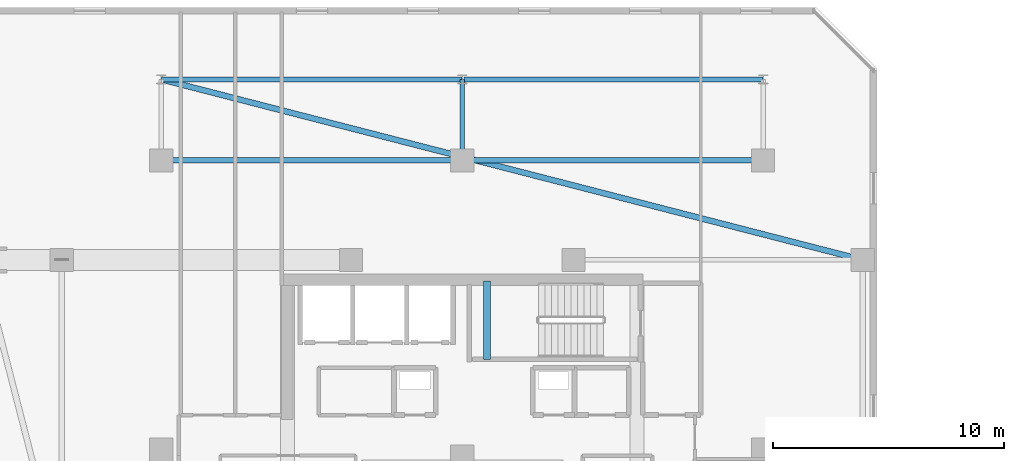
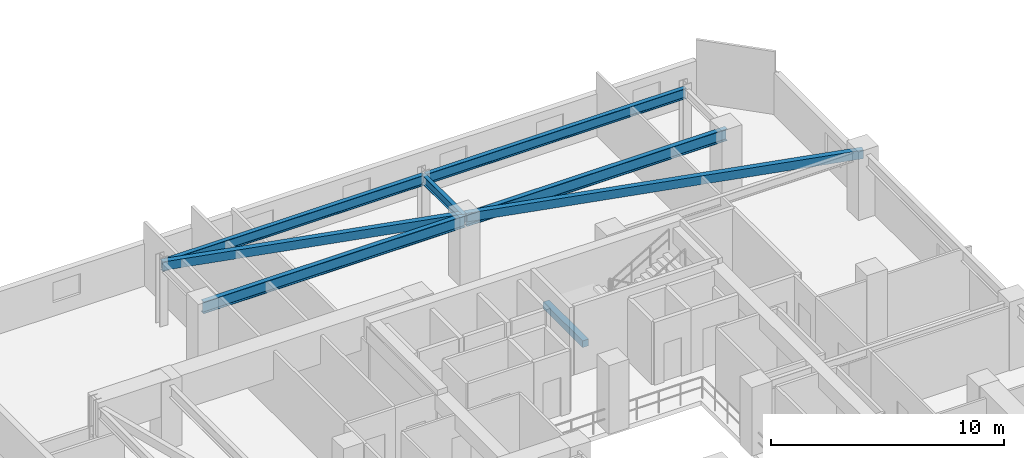
# One storey, part 8 of 35: 7 beams.
"""IFC4 building model written with IfcOpenShell, lengths in metres."""

import ifcopenshell
import ifcopenshell.guid

model = None  # the IFC model being written
_history = None  # IfcOwnerHistory: only IFC2X3 demands one
_inside = {}  # id of a spatial element -> (the spatial element, [elements in it])
_under = {}  # id of a project, library or spatial element -> (it, [spatial elements below it])
_declared = {}  # id of a project -> (the project, [libraries it declares])
_typed = {}  # id of a type object -> (the type object, [elements of that type])
_made_of = {}  # id of a material, layer set ... -> (it, [elements and type objects made of it])


def new_model(schema):
    """Start an empty IFC model of exactly this schema.

    Asked for "IFC4X3", IfcOpenShell would pick the latest addendum, in which some entities
    have other attributes; the version numbers below select the first issue.
    IFC2X3 requires an IfcOwnerHistory on every rooted entity: one is made here for all.
    """
    global model, _history
    if schema == "IFC4X3":
        model = ifcopenshell.file(schema_version=(4, 3, 0, 0))
    else:
        model = ifcopenshell.file(schema=schema)
    _inside.clear()
    _under.clear()
    _declared.clear()
    _typed.clear()
    _made_of.clear()
    _history = None
    if model.schema == "IFC2X3":
        org = make("IfcOrganization", Name="unknown")
        user = make(
            "IfcPersonAndOrganization",
            ThePerson=make("IfcPerson", FamilyName="unknown"),
            TheOrganization=org,
        )
        app = make(
            "IfcApplication",
            ApplicationDeveloper=org,
            Version="unknown",
            ApplicationFullName="unknown",
            ApplicationIdentifier="unknown",
        )
        _history = make(
            "IfcOwnerHistory",
            OwningUser=user,
            OwningApplication=app,
            ChangeAction="ADDED",
            CreationDate=0,
        )
    return model


def make(cls, **values):
    """One entity of the class cls with the attributes given. An attribute that is None is left unset."""
    return model.create_entity(
        cls, **{name: value for name, value in values.items() if value is not None}
    )


def rooted(cls, **values):
    """An entity with a GlobalId (a new one), such as an element, a storey or a relation."""
    return make(cls, GlobalId=ifcopenshell.guid.new(), OwnerHistory=_history, **values)


def si_unit(unit_type, name, prefix=None):
    """IfcSIUnit, for example si_unit("LENGTHUNIT", "METRE", prefix="MILLI")."""
    return make("IfcSIUnit", UnitType=unit_type, Prefix=prefix, Name=name)


def assignment(units):
    """IfcUnitAssignment: the units of a project."""
    return None if units is None else make("IfcUnitAssignment", Units=units)


def point(xyz):
    """IfcCartesianPoint."""
    return None if xyz is None else make("IfcCartesianPoint", Coordinates=xyz)


def direction(xyz):
    """IfcDirection."""
    return None if xyz is None else make("IfcDirection", DirectionRatios=xyz)


def frame(location, z_axis=None, x_axis=None):
    """IfcAxis2Placement3D, a coordinate frame: its origin and axes. An axis left out is left unset."""
    return make(
        "IfcAxis2Placement3D",
        Location=point(location),
        Axis=direction(z_axis),
        RefDirection=direction(x_axis),
    )


def frame_2d(location, x_axis=None):
    """IfcAxis2Placement2D, a coordinate frame in the plane: its origin and x axis."""
    return make(
        "IfcAxis2Placement2D", Location=point(location), RefDirection=direction(x_axis)
    )


def origin():
    """The frame at (0, 0, 0) with its axes left unset."""
    return frame((0.0, 0.0, 0.0))


def origin_2d():
    """The frame at (0, 0) in the plane with its x axis left unset."""
    return frame_2d((0.0, 0.0))


def place(relative_to, where):
    """IfcLocalPlacement: puts the frame where relative to a parent placement (None: the world)."""
    return make(
        "IfcLocalPlacement", PlacementRelTo=relative_to, RelativePlacement=where
    )


def context(
    kind, dimensions, precision=None, world=None, true_north=None, identifier=None
):
    """IfcGeometricRepresentationContext, for example the 3D "Model" context."""
    return make(
        "IfcGeometricRepresentationContext",
        ContextIdentifier=identifier,
        ContextType=kind,
        CoordinateSpaceDimension=dimensions,
        Precision=precision,
        WorldCoordinateSystem=world,
        TrueNorth=true_north,
    )


def subcontext(parent, identifier, kind, view, scale=None):
    """IfcGeometricRepresentationSubContext, for example "Body" below "Model"."""
    return make(
        "IfcGeometricRepresentationSubContext",
        ContextIdentifier=identifier,
        ContextType=kind,
        ParentContext=parent,
        TargetScale=scale,
        TargetView=view,
    )


def project(units=None, contexts=None):
    """IfcProject with its units and contexts."""
    return rooted(
        "IfcProject",
        Name="project",
        RepresentationContexts=contexts,
        UnitsInContext=assignment(units),
    )


def spatial(cls, under=None, at=None, **own):
    """A site, building, storey or space (cls), placed at a placement, below another one or the project."""
    s = rooted(cls, ObjectPlacement=at, **own)
    if under is not None:
        _under.setdefault(under.id(), (under, []))[1].append(s)
    return s


def profile(cls, at=None, kind="AREA", **sizes):
    """A parametric profile (cls). Its sizes go by their IFC names, for example OverallWidth=200.0."""
    return make(cls, ProfileType=kind, Position=at, **sizes)


def rectangle(**sizes):
    """IfcRectangleProfileDef."""
    return profile("IfcRectangleProfileDef", **sizes)


def hollow_rectangle(**sizes):
    """IfcRectangleHollowProfileDef."""
    return profile("IfcRectangleHollowProfileDef", **sizes)


def i_section(**sizes):
    """IfcIShapeProfileDef."""
    return profile("IfcIShapeProfileDef", **sizes)


def extrude(swept, where, along, depth):
    """IfcExtrudedAreaSolid: the profile swept, set in the frame where, extruded along a direction by depth."""
    return make(
        "IfcExtrudedAreaSolid",
        SweptArea=swept,
        Position=where,
        ExtrudedDirection=direction(along),
        Depth=depth,
    )


def shape(context_of_items, identifier, shape_type, items):
    """IfcShapeRepresentation: the items that make up one representation, for example the "Body"."""
    return make(
        "IfcShapeRepresentation",
        ContextOfItems=context_of_items,
        RepresentationIdentifier=identifier,
        RepresentationType=shape_type,
        Items=items,
    )


def material(Name=None, Category=None):
    """IfcMaterial."""
    return make("IfcMaterial", Name=Name, Category=Category)


def material_profile(
    of_material, cross_section, Name=None, Category=None, Priority=None
):
    """IfcMaterialProfile: a cross section and its material."""
    return make(
        "IfcMaterialProfile",
        Name=Name,
        Material=of_material,
        Profile=cross_section,
        Priority=Priority,
        Category=Category,
    )


def profile_set(profiles, Name=None, composite=None):
    """IfcMaterialProfileSet."""
    return make(
        "IfcMaterialProfileSet",
        Name=Name,
        MaterialProfiles=profiles,
        CompositeProfile=composite,
    )


def made_of(thing, what):
    """Note that an element or type object is made of a material, layer set ...; save() writes the relation."""
    if what is not None:
        _made_of.setdefault(what.id(), (what, []))[1].append(thing)
    return thing


def type_object(cls, material=None, **own):
    """A type object (cls), such as IfcWallType, which elements share."""
    return made_of(rooted(cls, **own), material)


def element(
    cls,
    number,
    at=None,
    inside=None,
    cuts=None,
    type_object=None,
    material=None,
    context=None,
    identifier="Body",
    shape_type=None,
    held_by="IfcProductDefinitionShape",
    body=None,
    shapes=None,
    **own,
):
    """One element of the class cls, such as IfcWall. Its Tag is "e" and its number.

    at: its placement. inside: the storey or other place that contains it. cuts: it is an
    opening in that element (IfcRelVoidsElement). A single representation is given by context,
    identifier, shape_type and body (its items); several are given by shapes. held_by: the class
    of the entity that holds the representations. save() writes the other relations.
    """
    e = rooted(cls, Tag="e%d" % number, ObjectPlacement=at, **own)
    if body is not None:
        shapes = [shape(context, identifier, shape_type, body)]
    if shapes is not None:
        e.Representation = make(held_by, Representations=shapes)
    if inside is not None:
        _inside.setdefault(inside.id(), (inside, []))[1].append(e)
    if cuts is not None:
        rooted(
            "IfcRelVoidsElement", RelatingBuildingElement=cuts, RelatedOpeningElement=e
        )
    if type_object is not None:
        _typed.setdefault(type_object.id(), (type_object, []))[1].append(e)
    return made_of(e, material)


def aggregate(whole, parts):
    """IfcRelAggregates: a whole, such as a stair, and the parts it consists of."""
    return rooted("IfcRelAggregates", RelatingObject=whole, RelatedObjects=parts)


def save(model, path):
    """Write the relations noted so far, then the file.

    IfcRelAggregates (storeys below a building ...), IfcRelContainedInSpatialStructure (elements
    in a storey), IfcRelDefinesByType, IfcRelAssociatesMaterial and IfcRelDeclares: one each for
    every whole, place, type object, material and project.
    """
    for whole, parts in _under.values():
        aggregate(whole, parts)
    for where, things in _inside.values():
        rooted(
            "IfcRelContainedInSpatialStructure",
            RelatedElements=things,
            RelatingStructure=where,
        )
    for kind, things in _typed.values():
        rooted("IfcRelDefinesByType", RelatedObjects=things, RelatingType=kind)
    for what, things in _made_of.values():
        rooted("IfcRelAssociatesMaterial", RelatedObjects=things, RelatingMaterial=what)
    for by, libraries in _declared.values():
        rooted("IfcRelDeclares", RelatingContext=by, RelatedDefinitions=libraries)
    model.write(path)


model = new_model("IFC4")

# Units and contexts
model_context = context("Model", 3, precision=1e-05, world=origin(), true_north=direction((0.0, 1.0)))
body_context = subcontext(model_context, "Body", "Model", "MODEL_VIEW")
ifc_project = project(units=[si_unit("LENGTHUNIT", "METRE"), si_unit("AREAUNIT", "SQUARE_METRE"), si_unit("VOLUMEUNIT", "CUBIC_METRE"), si_unit("PLANEANGLEUNIT", "RADIAN"), si_unit("MASSUNIT", "GRAM", prefix="KILO")], contexts=[model_context])

# Site, building, storey
site_placement = place(None, origin())
site = spatial("IfcSite", under=ifc_project, at=site_placement, CompositionType="ELEMENT")
building_placement = place(site_placement, origin())
building = spatial("IfcBuilding", under=site, at=building_placement, Name="Thornwick Lancets Civic Towers", CompositionType="ELEMENT")
storey_placement = place(building_placement, frame((0.0, 0.0, 225.89990234375)))
storey = spatial("IfcBuildingStorey", under=building, at=storey_placement, Name="L60", CompositionType="ELEMENT", Elevation=225.89990234375)

# Beams
ifc_material_1 = material(Name="Steel S355JR", Category="steel")
ifc_material_profile_1 = material_profile(ifc_material_1, i_section(OverallWidth=0.210693359375, OverallDepth=0.53955078125, WebThickness=0.01171875, FlangeThickness=0.018798828125, FilletRadius=0.0126953125, at=origin_2d()), Name="UKB 533x210x109")
ifc_profile_set_1 = profile_set([ifc_material_profile_1], Name="Steel S355JR")
beam_type_1 = type_object("IfcBeamType", Name="BM_EDGE_533_109", PredefinedType="SPANDREL", material=ifc_profile_set_1)
beam_1_placement = place(storey_placement, frame((12.5, 47.800048828125, 3.05029296875), z_axis=(1.0, 0.0, 0.0), x_axis=(0.0, 1.0, 0.0)))
element("IfcBeam", 1, at=beam_1_placement, inside=storey, type_object=beam_type_1, Name="BM-EDGE-L60-A-S2-1", PredefinedType="SPANDREL", context=body_context, shape_type="SweptSolid", body=[
    extrude(i_section(OverallWidth=0.210693359375, OverallDepth=0.53955078125, WebThickness=0.01171875, FlangeThickness=0.018798828125, FilletRadius=0.0126953125, at=origin_2d()), origin(), (0.0, 0.0, 1.0), 13.0),
])
beam_2_placement = place(storey_placement, frame((25.580078125, 47.800048828125, 3.05029296875), z_axis=(1.0, 0.0, 0.0), x_axis=(0.0, 1.0, 0.0)))
element("IfcBeam", 2, at=beam_2_placement, inside=storey, type_object=beam_type_1, Name="BM-EDGE-L60-A-S2-2", PredefinedType="SPANDREL", context=body_context, shape_type="SweptSolid", body=[
    extrude(i_section(OverallWidth=0.210693359375, OverallDepth=0.53955078125, WebThickness=0.01171875, FlangeThickness=0.018798828125, FilletRadius=0.0126953125, at=origin_2d()), origin(), (0.0, 0.0, 1.0), 12.919921875),
])
ifc_material_profile_2 = material_profile(ifc_material_1, i_section(OverallWidth=0.230224609375, OverallDepth=0.6171875, WebThickness=0.01318359375, FlangeThickness=0.022216796875, FilletRadius=0.0126953125, at=origin_2d()), Name="UKB 610x229x140")
ifc_profile_set_2 = profile_set([ifc_material_profile_2], Name="Steel S355JR")
beam_type_2 = type_object("IfcBeamType", Name="BM_GIRD_610_140", PredefinedType="BEAM", material=ifc_profile_set_2)
beam_3_placement = place(storey_placement, frame((12.5, 44.300048828125, 3.011474609375), z_axis=(1.0, 0.0, 0.0), x_axis=(0.0, 1.0, 0.0)))
element("IfcBeam", 3, at=beam_3_placement, inside=storey, type_object=beam_type_2, Name="BM-SPINE-L60-A-6-7", PredefinedType="BEAM", context=body_context, shape_type="SweptSolid", body=[
    extrude(i_section(OverallWidth=0.230224609375, OverallDepth=0.6171875, WebThickness=0.01318359375, FlangeThickness=0.022216796875, FilletRadius=0.0126953125, at=origin_2d()), origin(), (0.0, 0.0, 1.0), 13.0),
])
beam_4_placement = place(storey_placement, frame((25.580078125, 44.300048828125, 3.011474609375), z_axis=(1.0, 0.0, 0.0), x_axis=(0.0, 1.0, 0.0)))
element("IfcBeam", 4, at=beam_4_placement, inside=storey, type_object=beam_type_2, Name="BM-SPINE-L60-A-7-8", PredefinedType="BEAM", context=body_context, shape_type="SweptSolid", body=[
    extrude(i_section(OverallWidth=0.230224609375, OverallDepth=0.6171875, WebThickness=0.01318359375, FlangeThickness=0.022216796875, FilletRadius=0.0126953125, at=origin_2d()), origin(), (0.0, 0.0, 1.0), 12.919921875),
])
ifc_material_profile_3 = material_profile(ifc_material_1, i_section(OverallWidth=0.19189453125, OverallDepth=0.46337890625, WebThickness=0.010498046875, FlangeThickness=0.017578125, FilletRadius=0.01025390625, at=origin_2d()), Name="UKB 457x191x89")
ifc_profile_set_3 = profile_set([ifc_material_profile_3], Name="Steel S355JR")
beam_type_3 = type_object("IfcBeamType", Name="BM_JOIST_457_89", PredefinedType="JOIST", material=ifc_profile_set_3)
beam_5_placement = place(storey_placement, frame((25.5, 44.300048828125, 3.08837890625), z_axis=(0.0, 1.0, 0.0), x_axis=(-1.0, 0.0, 0.0)))
element("IfcBeam", 5, at=beam_5_placement, inside=storey, type_object=beam_type_3, Name="BM-RAD-L60-A08", PredefinedType="JOIST", context=body_context, shape_type="SweptSolid", body=[
    extrude(i_section(OverallWidth=0.19189453125, OverallDepth=0.46337890625, WebThickness=0.010498046875, FlangeThickness=0.017578125, FilletRadius=0.01025390625, at=origin_2d()), origin(), (0.0, 0.0, 1.0), 3.5),
])
ifc_material_profile_4 = material_profile(ifc_material_1, hollow_rectangle(XDim=0.25, YDim=0.449951171875, WallThickness=0.01611328125, at=origin_2d()), Name="RHS 450x250x16")
ifc_profile_set_4 = profile_set([ifc_material_profile_4], Name="Steel S355JR")
beam_type_4 = type_object("IfcBeamType", Name="BM_RING_RHS450", PredefinedType="BEAM", material=ifc_profile_set_4)
beam_6_placement = place(storey_placement, frame((42.800048828125, 40.0, 3.09521484375), z_axis=(-0.96842654257, 0.249299080716, 0.0), x_axis=(-0.249299080716, -0.96842654257, 0.0)))
element("IfcBeam", 6, at=beam_6_placement, inside=storey, type_object=beam_type_4, Name="BM-CHAMF-L60-A-C1", PredefinedType="BEAM", context=body_context, shape_type="SweptSolid", body=[
    extrude(hollow_rectangle(XDim=0.25, YDim=0.449951171875, WallThickness=0.01611328125, at=origin_2d()), origin(), (0.0, 0.0, 1.0), 31.287841796875),
])
ifc_material_2 = material(Name="Concrete C40/50", Category="concrete")
ifc_material_profile_5 = material_profile(ifc_material_2, rectangle(XDim=0.300048828125, YDim=0.35009765625, at=origin_2d()), Name="RC 300x350")
ifc_profile_set_5 = profile_set([ifc_material_profile_5], Name="Concrete C40/50")
beam_type_5 = type_object("IfcBeamType", Name="BM_STAIR_LDG", PredefinedType="BEAM", material=ifc_profile_set_5)
beam_7_placement = place(storey_placement, frame((26.56494140625, 39.10009765625, 1.378173828125), z_axis=(0.0, -1.0, 0.0), x_axis=(1.0, 0.0, 0.0)))
element("IfcBeam", 7, at=beam_7_placement, inside=storey, type_object=beam_type_5, Name="L60 ST-A2 Landing Support Beam 1", PredefinedType="BEAM", context=body_context, shape_type="SweptSolid", body=[
    extrude(rectangle(XDim=0.300048828125, YDim=0.35009765625, at=origin_2d()), origin(), (0.0, 0.0, 1.0), 3.400146484375),
])

save(model, "model.ifc")
